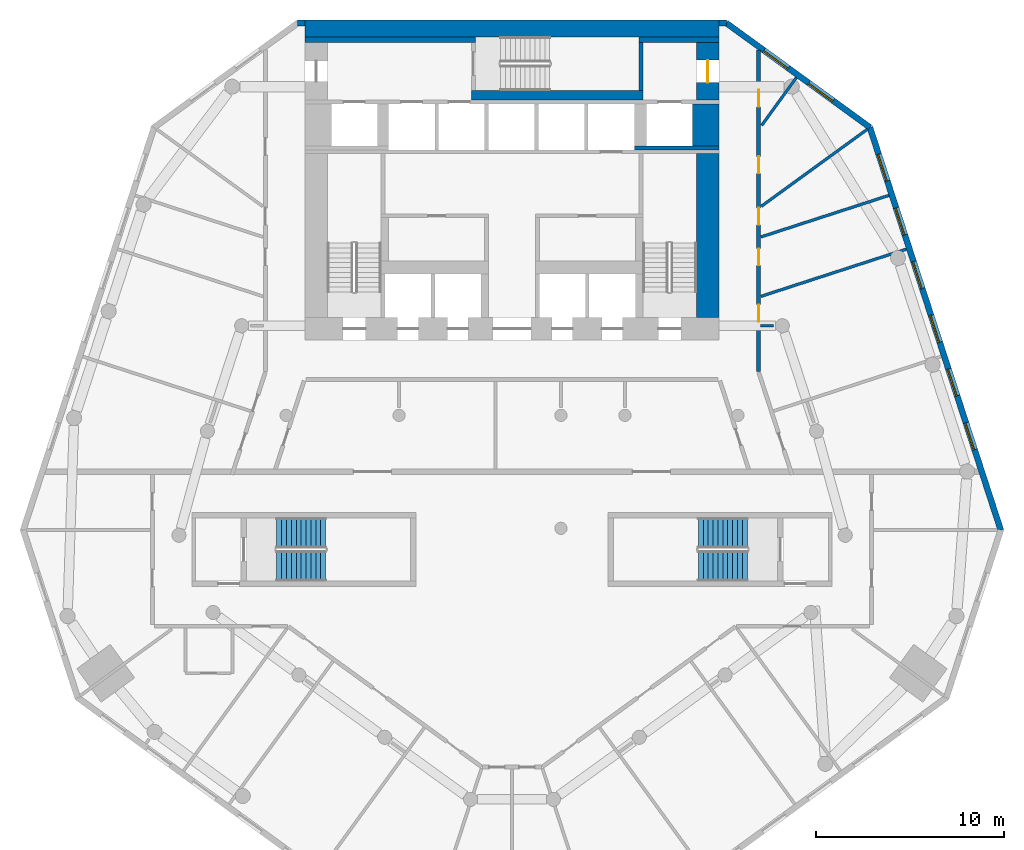
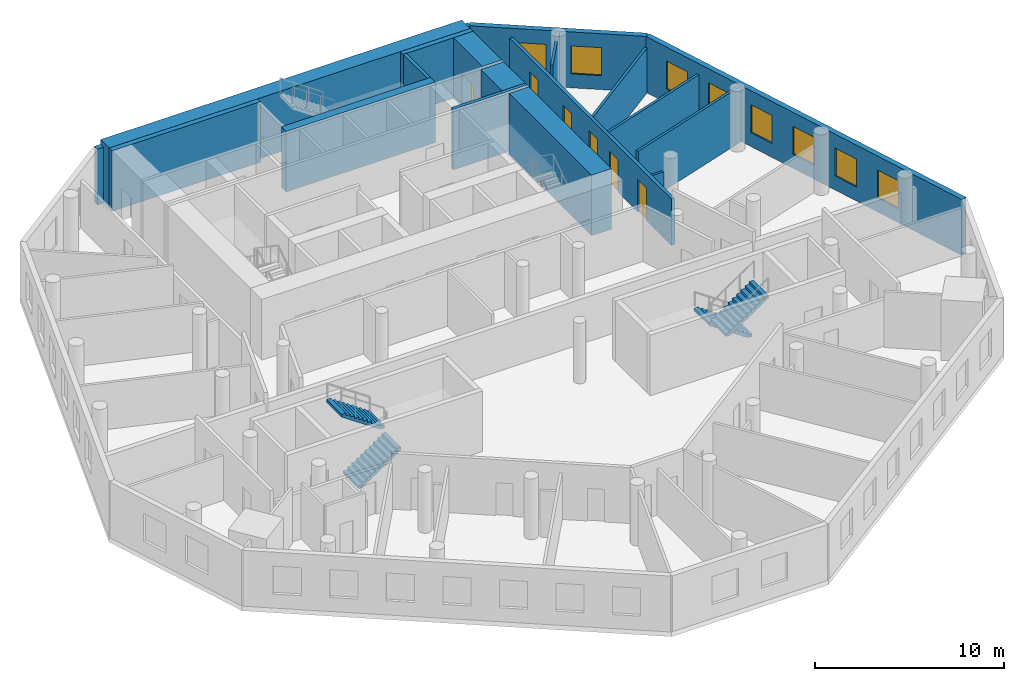
# One storey, part 6 of 9: 19 walls, 8 windows, 6 doors, 4 stair flights, 14 openings, 2 elements without a shape of their own.
"""IFC4 building model written with IfcOpenShell, lengths in metres."""

from ifc_helpers import new_model, si_unit, direction, frame, frame_2d, origin, place, context, subcontext, project, spatial, polyline, rectangle, outline, extrude, material, layer, layer_set, type_object, element, fill, aggregate, save


model = new_model("IFC4")

# Units and contexts
model_context = context("Model", 3, precision=1e-05, world=origin(), true_north=direction((0.0, 1.0)))
body_context = subcontext(model_context, "Body", "Model", "MODEL_VIEW")
ifc_project = project(units=[si_unit("LENGTHUNIT", "METRE"), si_unit("AREAUNIT", "SQUARE_METRE"), si_unit("VOLUMEUNIT", "CUBIC_METRE"), si_unit("PLANEANGLEUNIT", "RADIAN"), si_unit("MASSUNIT", "GRAM", prefix="KILO")], contexts=[model_context])

# Site, building, storey
site_placement = place(None, origin())
site = spatial("IfcSite", under=ifc_project, at=site_placement, CompositionType="ELEMENT")
building_placement = place(site_placement, origin())
building = spatial("IfcBuilding", under=site, at=building_placement, Name="White Candle Pilgrim Tower", CompositionType="ELEMENT")
storey_placement = place(building_placement, frame((0.0, 0.0, 74.10009765625)))
storey = spatial("IfcBuildingStorey", under=building, at=storey_placement, Name="L15", CompositionType="ELEMENT", Elevation=74.10009765625)

# Wall, opening, door
ifc_material_1 = material(Name="Concrete C70/85", Category="concrete")
ifc_layer_1 = layer(ifc_material_1, 1.199951171875)
ifc_layer_set_1 = layer_set([ifc_layer_1], Name="Core wall 1200 mm Concrete C70/85")
wall_type_1 = type_object("IfcWallType", Name="Core wall 1200 mm Concrete C70/85", PredefinedType="SHEAR", material=ifc_layer_set_1)
wall_1_placement = place(storey_placement, frame((80.39990234375, 83.75, 0.0), z_axis=(0.0, 0.0, 1.0), x_axis=(0.0, 1.0, 0.0)))
wall_1 = element("IfcWall", 1, at=wall_1_placement, inside=storey, type_object=wall_type_1, Name="WL-L15-C44", PredefinedType="SHEAR", context=body_context, shape_type="SweptSolid", body=[
    extrude(rectangle(XDim=3.050048828125, YDim=1.199951171875, at=frame_2d((1.52490234375, 0.0))), origin(), (0.0, 0.0, 1.0), 3.89990234375),
])
opening_1_placement = place(wall_1_placement, frame((0.925048828125, 0.0, 0.0)))
opening_1 = element("IfcOpeningElement", 2, at=opening_1_placement, cuts=wall_1, Name="Opening T04-006", PredefinedType="OPENING", context=body_context, shape_type="SweptSolid", body=[
    extrude(rectangle(XDim=1.199951171875, YDim=2.10009765625, at=frame_2d((0.60009765625, 1.050048828125))), frame((0.0, 0.60986328125, 0.0), z_axis=(0.0, -1.0, 0.0), x_axis=(1.0, 0.0, 0.0)), (0.0, 0.0, 1.0), 1.219970703125),
])
ifc_material_2 = material(Name="Steel door leaf", Category="steel")
door_type_1 = type_object("IfcDoorType", Name="Fire door 1200 x 2100 EI 30", OperationType="NOTDEFINED", PredefinedType="DOOR", material=ifc_material_2)
door_1_placement = place(opening_1_placement, origin())
door_1 = element("IfcDoor", 3, at=door_1_placement, inside=storey, type_object=door_type_1, Name="Door T04-006", OperationType="SINGLE_SWING_RIGHT", OverallHeight=2.10009765625, OverallWidth=1.199951171875, PredefinedType="DOOR", context=body_context, shape_type="SweptSolid", body=[
    extrude(rectangle(XDim=1.199951171875, YDim=2.10009765625, at=frame_2d((0.60009765625, 1.050048828125))), frame((0.0, 0.02490234375, 0.0), z_axis=(0.0, -1.0, 0.0), x_axis=(1.0, 0.0, 0.0)), (0.0, 0.0, 1.0), 0.050048828125),
])
fill(opening_1, door_1)

# Walls
ifc_layer_2 = layer(ifc_material_1, 1.39990234375)
ifc_layer_set_2 = layer_set([ifc_layer_2], Name="Core wall 1400 mm Concrete C70/85")
wall_type_2 = type_object("IfcWallType", Name="Core wall 1400 mm Concrete C70/85", PredefinedType="SHEAR", material=ifc_layer_set_2)
wall_2_placement = place(storey_placement, frame((80.300048828125, 81.300048828125, 0.0), z_axis=(0.0, 0.0, 1.0), x_axis=(0.0, 1.0, 0.0)))
element("IfcWall", 4, at=wall_2_placement, inside=storey, type_object=wall_type_2, Name="WL-L15-C40", PredefinedType="SHEAR", context=body_context, shape_type="SweptSolid", body=[
    extrude(rectangle(XDim=2.25, YDim=1.39990234375, at=frame_2d((1.125, 0.0))), origin(), (0.0, 0.0, 1.0), 3.89990234375),
])
ifc_layer_3 = layer(ifc_material_1, 0.199951171875)
ifc_layer_set_3 = layer_set([ifc_layer_3], Name="Core wall 200 mm Concrete C70/85")
wall_type_3 = type_object("IfcWallType", Name="Core wall 200 mm Concrete C70/85", PredefinedType="SHEAR", material=ifc_layer_set_3)
wall_3_placement = place(storey_placement, frame((76.5, 81.199951171875, 0.0), z_axis=(0.0, 0.0, 1.0), x_axis=(1.0, 0.0, 0.0)))
element("IfcWall", 5, at=wall_3_placement, inside=storey, type_object=wall_type_3, Name="WL-L15-C36", PredefinedType="SHEAR", context=body_context, shape_type="SweptSolid", body=[
    extrude(rectangle(XDim=4.5, YDim=0.199951171875, at=frame_2d((2.25, 0.0))), origin(), (0.0, 0.0, 1.0), 3.89990234375),
])

# Wall, openings, doors
ifc_material_3 = material(Name="Gypsum board on steel studs", Category="steel")
ifc_layer_4 = layer(ifc_material_3, 0.199951171875)
ifc_layer_set_4 = layer_set([ifc_layer_4], Name="Corridor wall 200 mm EI 45")
wall_type_4 = type_object("IfcWallType", Name="Corridor wall 200 mm EI 45", PredefinedType="PARTITIONING", material=ifc_layer_set_4)
wall_4_placement = place(storey_placement, frame((83.10009765625, 86.396240234375, 0.0), z_axis=(0.0, 0.0, 1.0), x_axis=(0.0, -1.0, 0.0)))
wall_4 = element("IfcWall", 6, at=wall_4_placement, inside=storey, type_object=wall_type_4, Name="WL-L15-P004", PredefinedType="PARTITIONING", context=body_context, shape_type="SweptSolid", body=[
    extrude(rectangle(XDim=17.0771484375, YDim=0.199951171875, at=frame_2d((8.53857421875, 0.0))), origin(), (0.0, 0.0, 1.0), 3.0),
])
opening_2_placement = place(wall_4_placement, frame((2.111572265625, 0.0, 0.0)))
opening_2 = element("IfcOpeningElement", 7, at=opening_2_placement, cuts=wall_4, Name="Opening T04-122", PredefinedType="OPENING", context=body_context, shape_type="SweptSolid", body=[
    extrude(rectangle(XDim=0.89990234375, YDim=2.10009765625, at=frame_2d((0.449951171875, 1.050048828125))), frame((0.0, 0.10986328125, 0.0), z_axis=(0.0, -1.0, 0.0), x_axis=(1.0, 0.0, 0.0)), (0.0, 0.0, 1.0), 0.219970703125),
])
opening_3_placement = place(wall_4_placement, frame((5.641357421875, 0.0, 0.0)))
opening_3 = element("IfcOpeningElement", 8, at=opening_3_placement, cuts=wall_4, Name="Opening T04-123", PredefinedType="OPENING", context=body_context, shape_type="SweptSolid", body=[
    extrude(rectangle(XDim=0.89990234375, YDim=2.10009765625, at=frame_2d((0.449951171875, 1.050048828125))), frame((0.0, 0.10986328125, 0.0), z_axis=(0.0, -1.0, 0.0), x_axis=(1.0, 0.0, 0.0)), (0.0, 0.0, 1.0), 0.219970703125),
])
opening_4_placement = place(wall_4_placement, frame((8.3798828125, 0.0, 0.0)))
opening_4 = element("IfcOpeningElement", 9, at=opening_4_placement, cuts=wall_4, Name="Opening T04-124", PredefinedType="OPENING", context=body_context, shape_type="SweptSolid", body=[
    extrude(rectangle(XDim=0.89990234375, YDim=2.10009765625, at=frame_2d((0.449951171875, 1.050048828125))), frame((0.0, 0.10986328125, 0.0), z_axis=(0.0, -1.0, 0.0), x_axis=(1.0, 0.0, 0.0)), (0.0, 0.0, 1.0), 0.219970703125),
])
opening_5_placement = place(wall_4_placement, frame((10.534423828125, 0.0, 0.0)))
opening_5 = element("IfcOpeningElement", 10, at=opening_5_placement, cuts=wall_4, Name="Opening T04-125", PredefinedType="OPENING", context=body_context, shape_type="SweptSolid", body=[
    extrude(rectangle(XDim=0.89990234375, YDim=2.10009765625, at=frame_2d((0.449951171875, 1.050048828125))), frame((0.0, 0.10986328125, 0.0), z_axis=(0.0, -1.0, 0.0), x_axis=(1.0, 0.0, 0.0)), (0.0, 0.0, 1.0), 0.219970703125),
])
opening_6_placement = place(wall_4_placement, frame((13.515380859375, 0.0, 0.0)))
opening_6 = element("IfcOpeningElement", 11, at=opening_6_placement, cuts=wall_4, Name="Opening T04-126", PredefinedType="OPENING", context=body_context, shape_type="SweptSolid", body=[
    extrude(rectangle(XDim=0.89990234375, YDim=2.10009765625, at=frame_2d((0.449951171875, 1.050048828125))), frame((0.0, 0.10986328125, 0.0), z_axis=(0.0, -1.0, 0.0), x_axis=(1.0, 0.0, 0.0)), (0.0, 0.0, 1.0), 0.219970703125),
])
door_type_2 = type_object("IfcDoorType", Name="Fire door 900 x 2100 EI 30", OperationType="NOTDEFINED", PredefinedType="DOOR", material=ifc_material_2)
door_2_placement = place(opening_2_placement, origin())
door_2 = element("IfcDoor", 12, at=door_2_placement, inside=storey, type_object=door_type_2, Name="Door T04-122", OperationType="SINGLE_SWING_RIGHT", OverallHeight=2.10009765625, OverallWidth=0.89990234375, PredefinedType="DOOR", context=body_context, shape_type="SweptSolid", body=[
    extrude(rectangle(XDim=0.89990234375, YDim=2.10009765625, at=frame_2d((0.449951171875, 1.050048828125))), frame((0.0, 0.02490234375, 0.0), z_axis=(0.0, -1.0, 0.0), x_axis=(1.0, 0.0, 0.0)), (0.0, 0.0, 1.0), 0.050048828125),
])
fill(opening_2, door_2)
door_3_placement = place(opening_3_placement, origin())
door_3 = element("IfcDoor", 13, at=door_3_placement, inside=storey, type_object=door_type_2, Name="Door T04-123", OperationType="SINGLE_SWING_LEFT", OverallHeight=2.10009765625, OverallWidth=0.89990234375, PredefinedType="DOOR", context=body_context, shape_type="SweptSolid", body=[
    extrude(rectangle(XDim=0.89990234375, YDim=2.10009765625, at=frame_2d((0.449951171875, 1.050048828125))), frame((0.0, 0.02490234375, 0.0), z_axis=(0.0, -1.0, 0.0), x_axis=(1.0, 0.0, 0.0)), (0.0, 0.0, 1.0), 0.050048828125),
])
fill(opening_3, door_3)
door_4_placement = place(opening_4_placement, origin())
door_4 = element("IfcDoor", 14, at=door_4_placement, inside=storey, type_object=door_type_2, Name="Door T04-124", OperationType="SINGLE_SWING_RIGHT", OverallHeight=2.10009765625, OverallWidth=0.89990234375, PredefinedType="DOOR", context=body_context, shape_type="SweptSolid", body=[
    extrude(rectangle(XDim=0.89990234375, YDim=2.10009765625, at=frame_2d((0.449951171875, 1.050048828125))), frame((0.0, 0.02490234375, 0.0), z_axis=(0.0, -1.0, 0.0), x_axis=(1.0, 0.0, 0.0)), (0.0, 0.0, 1.0), 0.050048828125),
])
fill(opening_4, door_4)
door_5_placement = place(opening_5_placement, origin())
door_5 = element("IfcDoor", 15, at=door_5_placement, inside=storey, type_object=door_type_2, Name="Door T04-125", OperationType="SINGLE_SWING_LEFT", OverallHeight=2.10009765625, OverallWidth=0.89990234375, PredefinedType="DOOR", context=body_context, shape_type="SweptSolid", body=[
    extrude(rectangle(XDim=0.89990234375, YDim=2.10009765625, at=frame_2d((0.449951171875, 1.050048828125))), frame((0.0, 0.02490234375, 0.0), z_axis=(0.0, -1.0, 0.0), x_axis=(1.0, 0.0, 0.0)), (0.0, 0.0, 1.0), 0.050048828125),
])
fill(opening_5, door_5)
door_6_placement = place(opening_6_placement, origin())
door_6 = element("IfcDoor", 16, at=door_6_placement, inside=storey, type_object=door_type_2, Name="Door T04-126", OperationType="SINGLE_SWING_LEFT", OverallHeight=2.10009765625, OverallWidth=0.89990234375, PredefinedType="DOOR", context=body_context, shape_type="SweptSolid", body=[
    extrude(rectangle(XDim=0.89990234375, YDim=2.10009765625, at=frame_2d((0.449951171875, 1.050048828125))), frame((0.0, 0.02490234375, 0.0), z_axis=(0.0, -1.0, 0.0), x_axis=(1.0, 0.0, 0.0)), (0.0, 0.0, 1.0), 0.050048828125),
])
fill(opening_6, door_6)

# Wall, openings, windows
ifc_material_4 = material(Name="Precast concrete C40/50", Category="concrete")
ifc_layer_5 = layer(ifc_material_4, 0.320068359375)
ifc_layer_set_5 = layer_set([ifc_layer_5], Name="Facade wall EW1 precast concrete C40/50 pier wall with timber-lined reveals")
wall_type_5 = type_object("IfcWallType", Name="Facade wall EW1 precast concrete C40/50 pier wall with timber-lined reveals", PredefinedType="SOLIDWALL", material=ifc_layer_set_5)
wall_5_placement = place(storey_placement, frame((95.96533203125, 60.903564453125, 0.0), z_axis=(0.0, 0.0, 1.0), x_axis=(-0.309016374519, 0.951056717698, 0.0)))
wall_5 = element("IfcWall", 17, at=wall_5_placement, inside=storey, type_object=wall_type_5, Name="Facade wall L15 ENE", PredefinedType="SOLIDWALL", context=body_context, shape_type="SweptSolid", body=[
    extrude(rectangle(XDim=22.49462890625, YDim=0.320068359375, at=frame_2d((11.247314453125, 0.0))), origin(), (0.0, 0.0, 1.0), 3.599853515625),
])
opening_7_placement = place(wall_5_placement, frame((4.497314453125, 0.0, 0.89990234375)))
opening_7 = element("IfcOpeningElement", 18, at=opening_7_placement, cuts=wall_5, Name="Opening W1", PredefinedType="OPENING", context=body_context, shape_type="SweptSolid", body=[
    extrude(rectangle(XDim=1.5, YDim=1.800048828125, at=frame_2d((0.75, 0.89990234375))), frame((0.0, 0.169921875, 0.0), z_axis=(0.0, -1.0, 0.0), x_axis=(1.0, 0.0, 0.0)), (0.0, 0.0, 1.0), 0.340087890625),
])
opening_8_placement = place(wall_5_placement, frame((7.497314453125, 0.0, 0.89990234375)))
opening_8 = element("IfcOpeningElement", 19, at=opening_8_placement, cuts=wall_5, Name="Opening W1", PredefinedType="OPENING", context=body_context, shape_type="SweptSolid", body=[
    extrude(rectangle(XDim=1.5, YDim=1.800048828125, at=frame_2d((0.75, 0.89990234375))), frame((0.0, 0.169921875, 0.0), z_axis=(0.0, -1.0, 0.0), x_axis=(1.0, 0.0, 0.0)), (0.0, 0.0, 1.0), 0.340087890625),
])
opening_9_placement = place(wall_5_placement, frame((10.497314453125, 0.0, 0.89990234375)))
opening_9 = element("IfcOpeningElement", 20, at=opening_9_placement, cuts=wall_5, Name="Opening W1", PredefinedType="OPENING", context=body_context, shape_type="SweptSolid", body=[
    extrude(rectangle(XDim=1.5, YDim=1.800048828125, at=frame_2d((0.75, 0.89990234375))), frame((0.0, 0.169921875, 0.0), z_axis=(0.0, -1.0, 0.0), x_axis=(1.0, 0.0, 0.0)), (0.0, 0.0, 1.0), 0.340087890625),
])
opening_10_placement = place(wall_5_placement, frame((13.497314453125, 0.0, 0.89990234375)))
opening_10 = element("IfcOpeningElement", 21, at=opening_10_placement, cuts=wall_5, Name="Opening W1", PredefinedType="OPENING", context=body_context, shape_type="SweptSolid", body=[
    extrude(rectangle(XDim=1.5, YDim=1.800048828125, at=frame_2d((0.75, 0.89990234375))), frame((0.0, 0.169921875, 0.0), z_axis=(0.0, -1.0, 0.0), x_axis=(1.0, 0.0, 0.0)), (0.0, 0.0, 1.0), 0.340087890625),
])
opening_11_placement = place(wall_5_placement, frame((16.497314453125, 0.0, 0.89990234375)))
opening_11 = element("IfcOpeningElement", 22, at=opening_11_placement, cuts=wall_5, Name="Opening W1", PredefinedType="OPENING", context=body_context, shape_type="SweptSolid", body=[
    extrude(rectangle(XDim=1.5, YDim=1.800048828125, at=frame_2d((0.75, 0.89990234375))), frame((0.0, 0.169921875, 0.0), z_axis=(0.0, -1.0, 0.0), x_axis=(1.0, 0.0, 0.0)), (0.0, 0.0, 1.0), 0.340087890625),
])
opening_12_placement = place(wall_5_placement, frame((19.497314453125, 0.0, 0.89990234375)))
opening_12 = element("IfcOpeningElement", 23, at=opening_12_placement, cuts=wall_5, Name="Opening W1", PredefinedType="OPENING", context=body_context, shape_type="SweptSolid", body=[
    extrude(rectangle(XDim=1.5, YDim=1.800048828125, at=frame_2d((0.75, 0.89990234375))), frame((0.0, 0.169921875, 0.0), z_axis=(0.0, -1.0, 0.0), x_axis=(1.0, 0.0, 0.0)), (0.0, 0.0, 1.0), 0.340087890625),
])
ifc_material_5 = material(Name="Timber frame with triple glazing", Category="wood")
window_type_1 = type_object("IfcWindowType", Name="Window W1 1500x1800 timber frame triple glazing", PartitioningType="SINGLE_PANEL", PredefinedType="WINDOW", material=ifc_material_5)
window_1_placement = place(opening_7_placement, origin())
window_1 = element("IfcWindow", 24, at=window_1_placement, inside=storey, type_object=window_type_1, Name="Window W1 L15 ENE 2", OverallHeight=1.800048828125, OverallWidth=1.5, PartitioningType="SINGLE_PANEL", PredefinedType="WINDOW", context=body_context, shape_type="SweptSolid", body=[
    extrude(rectangle(XDim=1.5, YDim=1.800048828125, at=frame_2d((0.75, 0.89990234375))), frame((0.0, 0.070068359375, 0.0), z_axis=(0.0, -1.0, 0.0), x_axis=(1.0, 0.0, 0.0)), (0.0, 0.0, 1.0), 0.06005859375),
])
fill(opening_7, window_1)
window_2_placement = place(opening_8_placement, origin())
window_2 = element("IfcWindow", 25, at=window_2_placement, inside=storey, type_object=window_type_1, Name="Window W1 L15 ENE 3", OverallHeight=1.800048828125, OverallWidth=1.5, PartitioningType="SINGLE_PANEL", PredefinedType="WINDOW", context=body_context, shape_type="SweptSolid", body=[
    extrude(rectangle(XDim=1.5, YDim=1.800048828125, at=frame_2d((0.75, 0.89990234375))), frame((0.0, 0.070068359375, 0.0), z_axis=(0.0, -1.0, 0.0), x_axis=(1.0, 0.0, 0.0)), (0.0, 0.0, 1.0), 0.06005859375),
])
fill(opening_8, window_2)
window_3_placement = place(opening_9_placement, origin())
window_3 = element("IfcWindow", 26, at=window_3_placement, inside=storey, type_object=window_type_1, Name="Window W1 L15 ENE 4", OverallHeight=1.800048828125, OverallWidth=1.5, PartitioningType="SINGLE_PANEL", PredefinedType="WINDOW", context=body_context, shape_type="SweptSolid", body=[
    extrude(rectangle(XDim=1.5, YDim=1.800048828125, at=frame_2d((0.75, 0.89990234375))), frame((0.0, 0.070068359375, 0.0), z_axis=(0.0, -1.0, 0.0), x_axis=(1.0, 0.0, 0.0)), (0.0, 0.0, 1.0), 0.06005859375),
])
fill(opening_9, window_3)
window_4_placement = place(opening_10_placement, origin())
window_4 = element("IfcWindow", 27, at=window_4_placement, inside=storey, type_object=window_type_1, Name="Window W1 L15 ENE 5", OverallHeight=1.800048828125, OverallWidth=1.5, PartitioningType="SINGLE_PANEL", PredefinedType="WINDOW", context=body_context, shape_type="SweptSolid", body=[
    extrude(rectangle(XDim=1.5, YDim=1.800048828125, at=frame_2d((0.75, 0.89990234375))), frame((0.0, 0.070068359375, 0.0), z_axis=(0.0, -1.0, 0.0), x_axis=(1.0, 0.0, 0.0)), (0.0, 0.0, 1.0), 0.06005859375),
])
fill(opening_10, window_4)
window_5_placement = place(opening_11_placement, origin())
window_5 = element("IfcWindow", 28, at=window_5_placement, inside=storey, type_object=window_type_1, Name="Window W1 L15 ENE 6", OverallHeight=1.800048828125, OverallWidth=1.5, PartitioningType="SINGLE_PANEL", PredefinedType="WINDOW", context=body_context, shape_type="SweptSolid", body=[
    extrude(rectangle(XDim=1.5, YDim=1.800048828125, at=frame_2d((0.75, 0.89990234375))), frame((0.0, 0.070068359375, 0.0), z_axis=(0.0, -1.0, 0.0), x_axis=(1.0, 0.0, 0.0)), (0.0, 0.0, 1.0), 0.06005859375),
])
fill(opening_11, window_5)
window_6_placement = place(opening_12_placement, origin())
window_6 = element("IfcWindow", 29, at=window_6_placement, inside=storey, type_object=window_type_1, Name="Window W1 L15 ENE 7", OverallHeight=1.800048828125, OverallWidth=1.5, PartitioningType="SINGLE_PANEL", PredefinedType="WINDOW", context=body_context, shape_type="SweptSolid", body=[
    extrude(rectangle(XDim=1.5, YDim=1.800048828125, at=frame_2d((0.75, 0.89990234375))), frame((0.0, 0.070068359375, 0.0), z_axis=(0.0, -1.0, 0.0), x_axis=(1.0, 0.0, 0.0)), (0.0, 0.0, 1.0), 0.06005859375),
])
fill(opening_12, window_6)

wall_6_placement = place(storey_placement, frame((89.01416015625, 82.297119140625, 0.0), z_axis=(0.0, 0.0, 1.0), x_axis=(-0.809013639072, 0.587789870443, 0.0)))
wall_6 = element("IfcWall", 30, at=wall_6_placement, inside=storey, type_object=wall_type_5, Name="Facade wall L15 NE chamfer", PredefinedType="SOLIDWALL", context=body_context, shape_type="SweptSolid", body=[
    extrude(rectangle(XDim=9.43017578125, YDim=0.320068359375, at=frame_2d((4.715087890625, 0.0))), origin(), (0.0, 0.0, 1.0), 3.599853515625),
])
opening_13_placement = place(wall_6_placement, frame((2.4150390625, 0.0, 0.89990234375)))
opening_13 = element("IfcOpeningElement", 31, at=opening_13_placement, cuts=wall_6, Name="Opening W2", PredefinedType="OPENING", context=body_context, shape_type="SweptSolid", body=[
    extrude(rectangle(XDim=1.60009765625, YDim=1.800048828125, at=frame_2d((0.800048828125, 0.89990234375))), frame((0.0, 0.169921875, 0.0), z_axis=(0.0, -1.0, 0.0), x_axis=(1.0, 0.0, 0.0)), (0.0, 0.0, 1.0), 0.340087890625),
])
opening_14_placement = place(wall_6_placement, frame((5.364990234375, 0.0, 0.89990234375)))
opening_14 = element("IfcOpeningElement", 32, at=opening_14_placement, cuts=wall_6, Name="Opening W2", PredefinedType="OPENING", context=body_context, shape_type="SweptSolid", body=[
    extrude(rectangle(XDim=1.60009765625, YDim=1.800048828125, at=frame_2d((0.800048828125, 0.89990234375))), frame((0.0, 0.169921875, 0.0), z_axis=(0.0, -1.0, 0.0), x_axis=(1.0, 0.0, 0.0)), (0.0, 0.0, 1.0), 0.340087890625),
])
window_type_2 = type_object("IfcWindowType", Name="Window W2 1600x1800 timber frame triple glazing", PartitioningType="SINGLE_PANEL", PredefinedType="WINDOW", material=ifc_material_5)
window_7_placement = place(opening_13_placement, origin())
window_7 = element("IfcWindow", 33, at=window_7_placement, inside=storey, type_object=window_type_2, Name="Window W2 L15 NE chamfer 1", OverallHeight=1.800048828125, OverallWidth=1.60009765625, PartitioningType="SINGLE_PANEL", PredefinedType="WINDOW", context=body_context, shape_type="SweptSolid", body=[
    extrude(rectangle(XDim=1.60009765625, YDim=1.800048828125, at=frame_2d((0.800048828125, 0.89990234375))), frame((0.0, 0.070068359375, 0.0), z_axis=(0.0, -1.0, 0.0), x_axis=(1.0, 0.0, 0.0)), (0.0, 0.0, 1.0), 0.06005859375),
])
fill(opening_13, window_7)
window_8_placement = place(opening_14_placement, origin())
window_8 = element("IfcWindow", 34, at=window_8_placement, inside=storey, type_object=window_type_2, Name="Window W2 L15 NE chamfer 2", OverallHeight=1.800048828125, OverallWidth=1.60009765625, PartitioningType="SINGLE_PANEL", PredefinedType="WINDOW", context=body_context, shape_type="SweptSolid", body=[
    extrude(rectangle(XDim=1.60009765625, YDim=1.800048828125, at=frame_2d((0.800048828125, 0.89990234375))), frame((0.0, 0.070068359375, 0.0), z_axis=(0.0, -1.0, 0.0), x_axis=(1.0, 0.0, 0.0)), (0.0, 0.0, 1.0), 0.06005859375),
])
fill(opening_14, window_8)

# Walls
for number, where, z_axis, x_axis, name in (
    (35, (81.385009765625, 87.840087890625, 0.0), (0.0, 0.0, 1.0), (-1.0, 0.0, 0.0), "Facade wall L15 N"),
    (36, (59.0, 87.840087890625, 0.0), (0.0, 0.0, 1.0), (-1.0, 0.0, 0.0), "Facade wall L15 N"),
):
    element("IfcWall", number, at=place(storey_placement, frame(where, z_axis=z_axis, x_axis=x_axis)), inside=storey, type_object=wall_type_5, Name=name, PredefinedType="SOLIDWALL", context=body_context, shape_type="SweptSolid", body=[
        extrude(rectangle(XDim=0.385009765625, YDim=0.320068359375, at=frame_2d((0.1923828125, 0.0))), origin(), (0.0, 0.0, 1.0), 3.599853515625),
    ])
ifc_layer_6 = layer(ifc_material_3, 0.14990234375)
ifc_layer_set_6 = layer_set([ifc_layer_6], Name="Partition 150 mm EI 60")
wall_type_6 = type_object("IfcWallType", Name="Partition 150 mm EI 60", PredefinedType="PARTITIONING", material=ifc_layer_set_6)
wall_7_placement = place(storey_placement, frame((88.8779296875, 82.1982421875, 0.0), z_axis=(0.0, 0.0, 1.0), x_axis=(-0.809011915856, -0.58779224221, 0.0)))
element("IfcWall", 37, at=wall_7_placement, inside=storey, type_object=wall_type_6, Name="WL-L15-P023", PredefinedType="PARTITIONING", context=body_context, shape_type="SweptSolid", body=[
    extrude(rectangle(XDim=6.9638671875, YDim=0.14990234375, at=frame_2d((3.48193359375, 0.0))), origin(), (0.0, 0.0, 1.0), 2.89990234375),
])
wall_8_placement = place(storey_placement, frame((90.947021484375, 75.830810546875, 0.0), z_axis=(0.0, 0.0, 1.0), x_axis=(-0.951051961222, -0.309031013097, 0.0)))
element("IfcWall", 38, at=wall_8_placement, inside=storey, type_object=wall_type_6, Name="WL-L15-P038", PredefinedType="PARTITIONING", context=body_context, shape_type="SweptSolid", body=[
    extrude(rectangle(XDim=8.121337890625, YDim=0.14990234375, at=frame_2d((4.060546875, 0.0))), origin(), (0.0, 0.0, 1.0), 3.599853515625),
])
wall_9_placement = place(storey_placement, frame((90.02001953125, 78.683837890625, 0.0), z_axis=(0.0, 0.0, 1.0), x_axis=(-0.951064189929, -0.308993376362, 0.0)))
element("IfcWall", 39, at=wall_9_placement, inside=storey, type_object=wall_type_6, Name="WL-L15-P039", PredefinedType="PARTITIONING", context=body_context, shape_type="SweptSolid", body=[
    extrude(rectangle(XDim=7.146484375, YDim=0.14990234375, at=frame_2d((3.5732421875, 0.0))), origin(), (0.0, 0.0, 1.0), 2.89990234375),
])
wall_10_placement = place(storey_placement, frame((85.10546875, 84.939208984375, 0.0), z_axis=(0.0, 0.0, 1.0), x_axis=(-0.587746109375, -0.809045431923, 0.0)))
element("IfcWall", 40, at=wall_10_placement, inside=storey, type_object=wall_type_6, Name="WL-L15-P040", PredefinedType="PARTITIONING", context=body_context, shape_type="SweptSolid", body=[
    extrude(rectangle(XDim=3.138671875, YDim=0.14990234375, at=frame_2d((1.5693359375, 0.0))), origin(), (0.0, 0.0, 1.0), 3.599853515625),
])
wall_11_placement = place(storey_placement, frame((83.89501953125, 71.7578125, 0.0), z_axis=(0.0, 0.0, 1.0), x_axis=(-1.0, 0.0, 0.0)))
element("IfcWall", 41, at=wall_11_placement, inside=storey, type_object=wall_type_6, Name="WL-L15-P048", PredefinedType="PARTITIONING", context=body_context, shape_type="SweptSolid", body=[
    extrude(rectangle(XDim=0.695068359375, YDim=0.14990234375, at=frame_2d((0.34765625, 0.0))), origin(), (0.0, 0.0, 1.0), 3.0),
])
ifc_layer_7 = layer(ifc_material_1, 1.199951171875)
ifc_layer_set_7 = layer_set([ifc_layer_7], Name="Stair shaft wall 1200 mm Concrete C70/85")
wall_type_7 = type_object("IfcWallType", Name="Stair shaft wall 1200 mm Concrete C70/85", PredefinedType="SHEAR", material=ifc_layer_set_7)
wall_12_placement = place(storey_placement, frame((80.39990234375, 72.199951171875, 0.0), z_axis=(0.0, 0.0, 1.0), x_axis=(0.0, 1.0, 0.0)))
element("IfcWall", 42, at=wall_12_placement, inside=storey, type_object=wall_type_7, Name="WL-L15-C19", PredefinedType="SHEAR", context=body_context, shape_type="SweptSolid", body=[
    extrude(rectangle(XDim=8.699951171875, YDim=1.199951171875, at=frame_2d((4.35009765625, 0.0))), origin(), (0.0, 0.0, 1.0), 3.89990234375),
])
ifc_layer_8 = layer(ifc_material_1, 0.199951171875)
ifc_layer_set_8 = layer_set([ifc_layer_8], Name="Stair shaft wall 200 mm Concrete C70/85")
wall_type_8 = type_object("IfcWallType", Name="Stair shaft wall 200 mm Concrete C70/85", PredefinedType="SHEAR", material=ifc_layer_set_8)
wall_13_placement = place(storey_placement, frame((76.85009765625, 84.25, 0.0), z_axis=(0.0, 0.0, 1.0), x_axis=(0.0, 1.0, 0.0)))
element("IfcWall", 43, at=wall_13_placement, inside=storey, type_object=wall_type_8, Name="WL-L15-C46", PredefinedType="SHEAR", context=body_context, shape_type="SweptSolid", body=[
    extrude(rectangle(XDim=2.550048828125, YDim=0.199951171875, at=frame_2d((1.27490234375, 0.0))), origin(), (0.0, 0.0, 1.0), 3.89990234375),
])
ifc_layer_9 = layer(ifc_material_1, 0.300048828125)
ifc_layer_set_9 = layer_set([ifc_layer_9], Name="Stair shaft wall 300 mm Concrete C70/85")
wall_type_9 = type_object("IfcWallType", Name="Stair shaft wall 300 mm Concrete C70/85", PredefinedType="SHEAR", material=ifc_layer_set_9)
wall_14_placement = place(storey_placement, frame((59.0, 86.949951171875, 0.0), z_axis=(0.0, 0.0, 1.0), x_axis=(1.0, 0.0, 0.0)))
element("IfcWall", 44, at=wall_14_placement, inside=storey, type_object=wall_type_9, Name="WL-L15-C47", PredefinedType="SHEAR", context=body_context, shape_type="SweptSolid", body=[
    extrude(rectangle(XDim=9.050048828125, YDim=0.300048828125, at=frame_2d((4.52490234375, 0.0))), origin(), (0.0, 0.0, 1.0), 3.89990234375),
])
wall_15_placement = place(storey_placement, frame((76.75, 86.949951171875, 0.0), z_axis=(0.0, 0.0, 1.0), x_axis=(1.0, 0.0, 0.0)))
element("IfcWall", 45, at=wall_15_placement, inside=storey, type_object=wall_type_9, Name="WL-L15-C48", PredefinedType="SHEAR", context=body_context, shape_type="SweptSolid", body=[
    extrude(rectangle(XDim=4.25, YDim=0.300048828125, at=frame_2d((2.125, 0.0))), origin(), (0.0, 0.0, 1.0), 3.89990234375),
])
ifc_layer_10 = layer(ifc_material_1, 0.5)
ifc_layer_set_10 = layer_set([ifc_layer_10], Name="Stair shaft wall 500 mm Concrete C70/85")
wall_type_10 = type_object("IfcWallType", Name="Stair shaft wall 500 mm Concrete C70/85", PredefinedType="SHEAR", material=ifc_layer_set_10)
wall_16_placement = place(storey_placement, frame((67.85009765625, 84.0, 0.0), z_axis=(0.0, 0.0, 1.0), x_axis=(1.0, 0.0, 0.0)))
element("IfcWall", 46, at=wall_16_placement, inside=storey, type_object=wall_type_10, Name="WL-L15-C43", PredefinedType="SHEAR", context=body_context, shape_type="SweptSolid", body=[
    extrude(rectangle(XDim=9.099853515625, YDim=0.5, at=frame_2d((4.5498046875, 0.0))), origin(), (0.0, 0.0, 1.0), 3.89990234375),
])
ifc_layer_11 = layer(ifc_material_1, 0.89990234375)
ifc_layer_set_11 = layer_set([ifc_layer_11], Name="Stair shaft wall 900 mm Concrete C70/85")
wall_type_11 = type_object("IfcWallType", Name="Stair shaft wall 900 mm Concrete C70/85", PredefinedType="SHEAR", material=ifc_layer_set_11)
wall_17_placement = place(storey_placement, frame((59.0, 87.550048828125, 0.0), z_axis=(0.0, 0.0, 1.0), x_axis=(1.0, 0.0, 0.0)))
element("IfcWall", 47, at=wall_17_placement, inside=storey, type_object=wall_type_11, Name="WL-L15-C49", PredefinedType="SHEAR", context=body_context, shape_type="SweptSolid", body=[
    extrude(rectangle(XDim=22.0, YDim=0.89990234375, at=frame_2d((11.0, 0.0))), origin(), (0.0, 0.0, 1.0), 3.89990234375),
])

# Stair, stair flights
ifc_material_6 = material(Name="Concrete C40/50", Category="concrete")
stair_type_1 = type_object("IfcStairType", Name="Exit stair 4 flight width 1600 mm", PredefinedType="HALF_TURN_STAIR", material=ifc_material_6)
stair_1_placement = place(storey_placement, origin())
stair_1 = element("IfcStair", 48, at=stair_1_placement, inside=storey, type_object=stair_type_1, Name="L15 stair 4", PredefinedType="NOTDEFINED")
ifc_layer_12 = layer(ifc_material_6, 0.14990234375)
ifc_layer_set_12 = layer_set([ifc_layer_12], Name="Stair flight Concrete C40/50")
stair_flight_type = type_object("IfcStairFlightType", Name="Stair flight Concrete C40/50", PredefinedType="STRAIGHT", material=ifc_layer_set_12)
stair_flight_1_placement = place(storey_placement, frame((82.5, 60.75, 0.0), z_axis=(0.0, 0.0, 1.0), x_axis=(-1.0, 0.0, 0.0)))
stair_flight_1 = element("IfcStairFlight", 49, at=stair_flight_1_placement, type_object=stair_flight_type, Name="ST4 flight 1", NumberOfRisers=11, NumberOfTreads=10, PredefinedType="NOTDEFINED", RiserHeight=0.177272727, TreadLength=0.26, context=body_context, shape_type="SweptSolid", body=[
    extrude(outline(polyline([(0.0, 0.0), (0.0, 0.17724609375), (0.260009765625, 0.17724609375), (0.260009765625, 0.3544921875), (0.52001953125, 0.3544921875), (0.52001953125, 0.53173828125), (0.780029296875, 0.53173828125), (0.780029296875, 0.708984375), (1.0400390625, 0.708984375), (1.0400390625, 0.886474609375), (1.300048828125, 0.886474609375), (1.300048828125, 1.063720703125), (1.56005859375, 1.063720703125), (1.56005859375, 1.240966796875), (1.820068359375, 1.240966796875), (1.820068359375, 1.418212890625), (2.080078125, 1.418212890625), (2.080078125, 1.595458984375), (2.340087890625, 1.595458984375), (2.340087890625, 1.772705078125), (2.60009765625, 1.772705078125), (2.60009765625, 1.949951171875), (2.60009765625, 1.59130859375), (0.26611328125, 0.0), (0.0, 0.0)])), frame((0.0, 0.800048828125, 0.0), z_axis=(0.0, -1.0, 0.0), x_axis=(1.0, 0.0, 0.0)), (0.0, 0.0, 1.0), 1.60009765625),
])
stair_flight_2_placement = place(storey_placement, frame((79.89990234375, 59.0, 1.949951171875), z_axis=(0.0, 0.0, 1.0), x_axis=(1.0, 0.0, 0.0)))
stair_flight_2 = element("IfcStairFlight", 50, at=stair_flight_2_placement, type_object=stair_flight_type, Name="ST4 flight 2", NumberOfRisers=11, NumberOfTreads=10, PredefinedType="NOTDEFINED", RiserHeight=0.177272727, TreadLength=0.26, context=body_context, shape_type="SweptSolid", body=[
    extrude(outline(polyline([(0.0, 0.0), (0.0, 0.17724609375), (0.260009765625, 0.17724609375), (0.260009765625, 0.3544921875), (0.52001953125, 0.3544921875), (0.52001953125, 0.53173828125), (0.780029296875, 0.53173828125), (0.780029296875, 0.708984375), (1.0400390625, 0.708984375), (1.0400390625, 0.886474609375), (1.300048828125, 0.886474609375), (1.300048828125, 1.063720703125), (1.56005859375, 1.063720703125), (1.56005859375, 1.240966796875), (1.820068359375, 1.240966796875), (1.820068359375, 1.418212890625), (2.080078125, 1.418212890625), (2.080078125, 1.595458984375), (2.340087890625, 1.595458984375), (2.340087890625, 1.772705078125), (2.60009765625, 1.772705078125), (2.60009765625, 1.949951171875), (2.60009765625, 1.59130859375), (0.26611328125, 0.0), (0.0, 0.0)])), frame((0.0, 0.800048828125, 0.0), z_axis=(0.0, -1.0, 0.0), x_axis=(1.0, 0.0, 0.0)), (0.0, 0.0, 1.0), 1.60009765625),
])
aggregate(stair_1, [stair_flight_1, stair_flight_2])

stair_type_2 = type_object("IfcStairType", Name="Exit stair 5 flight width 1600 mm", PredefinedType="HALF_TURN_STAIR", material=ifc_material_6)
stair_2_placement = place(storey_placement, origin())
stair_2 = element("IfcStair", 51, at=stair_2_placement, inside=storey, type_object=stair_type_2, Name="L15 stair 5", PredefinedType="NOTDEFINED")
stair_flight_3_placement = place(storey_placement, frame((57.5, 59.0, 0.0), z_axis=(0.0, 0.0, 1.0), x_axis=(1.0, 0.0, 0.0)))
stair_flight_3 = element("IfcStairFlight", 52, at=stair_flight_3_placement, type_object=stair_flight_type, Name="ST5 flight 1", NumberOfRisers=11, NumberOfTreads=10, PredefinedType="NOTDEFINED", RiserHeight=0.177272727, TreadLength=0.26, context=body_context, shape_type="SweptSolid", body=[
    extrude(outline(polyline([(0.0, 0.0), (0.0, 0.17724609375), (0.260009765625, 0.17724609375), (0.260009765625, 0.3544921875), (0.52001953125, 0.3544921875), (0.52001953125, 0.53173828125), (0.780029296875, 0.53173828125), (0.780029296875, 0.708984375), (1.0400390625, 0.708984375), (1.0400390625, 0.886474609375), (1.300048828125, 0.886474609375), (1.300048828125, 1.063720703125), (1.56005859375, 1.063720703125), (1.56005859375, 1.240966796875), (1.820068359375, 1.240966796875), (1.820068359375, 1.418212890625), (2.080078125, 1.418212890625), (2.080078125, 1.595458984375), (2.340087890625, 1.595458984375), (2.340087890625, 1.772705078125), (2.60009765625, 1.772705078125), (2.60009765625, 1.949951171875), (2.60009765625, 1.59130859375), (0.26611328125, 0.0), (0.0, 0.0)])), frame((0.0, 0.800048828125, 0.0), z_axis=(0.0, -1.0, 0.0), x_axis=(1.0, 0.0, 0.0)), (0.0, 0.0, 1.0), 1.60009765625),
])
stair_flight_4_placement = place(storey_placement, frame((60.10009765625, 60.75, 1.949951171875), z_axis=(0.0, 0.0, 1.0), x_axis=(-1.0, 0.0, 0.0)))
stair_flight_4 = element("IfcStairFlight", 53, at=stair_flight_4_placement, type_object=stair_flight_type, Name="ST5 flight 2", NumberOfRisers=11, NumberOfTreads=10, PredefinedType="NOTDEFINED", RiserHeight=0.177272727, TreadLength=0.26, context=body_context, shape_type="SweptSolid", body=[
    extrude(outline(polyline([(0.0, 0.0), (0.0, 0.17724609375), (0.260009765625, 0.17724609375), (0.260009765625, 0.3544921875), (0.52001953125, 0.3544921875), (0.52001953125, 0.53173828125), (0.780029296875, 0.53173828125), (0.780029296875, 0.708984375), (1.0400390625, 0.708984375), (1.0400390625, 0.886474609375), (1.300048828125, 0.886474609375), (1.300048828125, 1.063720703125), (1.56005859375, 1.063720703125), (1.56005859375, 1.240966796875), (1.820068359375, 1.240966796875), (1.820068359375, 1.418212890625), (2.080078125, 1.418212890625), (2.080078125, 1.595458984375), (2.340087890625, 1.595458984375), (2.340087890625, 1.772705078125), (2.60009765625, 1.772705078125), (2.60009765625, 1.949951171875), (2.60009765625, 1.59130859375), (0.26611328125, 0.0), (0.0, 0.0)])), frame((0.0, 0.800048828125, 0.0), z_axis=(0.0, -1.0, 0.0), x_axis=(1.0, 0.0, 0.0)), (0.0, 0.0, 1.0), 1.60009765625),
])
aggregate(stair_2, [stair_flight_3, stair_flight_4])

save(model, "model.ifc")
